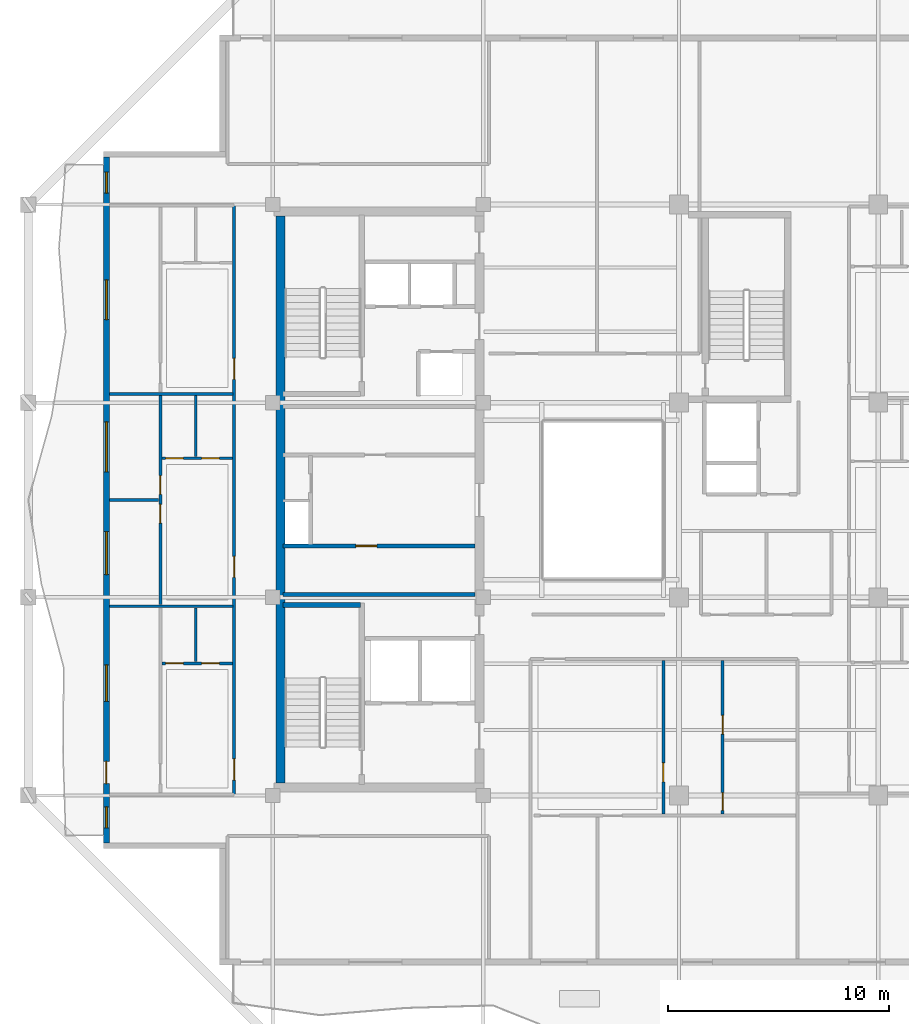
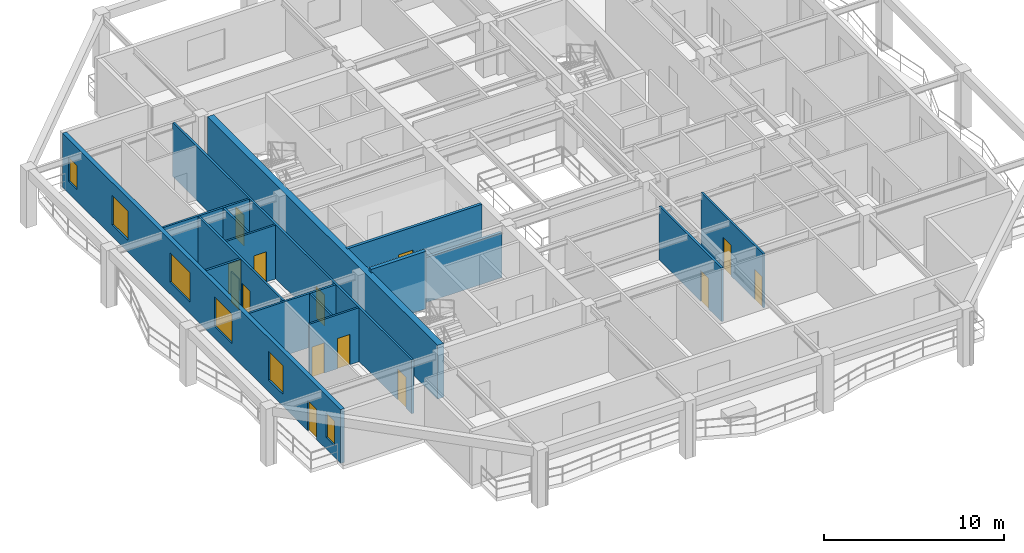
# One storey, part 3 of 12: 16 walls, 14 doors, 6 windows, 20 openings.
"""IFC4 building model written with IfcOpenShell, lengths in metres."""

from ifc_helpers import new_model, si_unit, direction, frame, frame_2d, origin, place, context, subcontext, project, spatial, rectangle, extrude, material, layer, layer_set, type_object, element, fill, save


model = new_model("IFC4")

# Units and contexts
model_context = context("Model", 3, precision=1e-05, world=origin(), true_north=direction((0.0, 1.0)))
body_context = subcontext(model_context, "Body", "Model", "MODEL_VIEW")
ifc_project = project(units=[si_unit("LENGTHUNIT", "METRE"), si_unit("AREAUNIT", "SQUARE_METRE"), si_unit("VOLUMEUNIT", "CUBIC_METRE"), si_unit("PLANEANGLEUNIT", "RADIAN"), si_unit("MASSUNIT", "GRAM", prefix="KILO")], contexts=[model_context])

# Site, building, storey
site_placement = place(None, origin())
site = spatial("IfcSite", under=ifc_project, at=site_placement, CompositionType="ELEMENT")
building_placement = place(site_placement, origin())
building = spatial("IfcBuilding", under=site, at=building_placement, Name="Kundavana Baori Tower", CompositionType="ELEMENT")
storey_placement = place(building_placement, frame((0.0, 0.0, 233.60009765625)))
storey = spatial("IfcBuildingStorey", under=building, at=storey_placement, Name="L57", CompositionType="ELEMENT", Elevation=233.60009765625)

# Walls
ifc_material_1 = material(Name="Concrete C50/60", Category="concrete")
ifc_layer_1 = layer(ifc_material_1, 0.39990234375, Name="WL-CORE-400")
ifc_layer_set_1 = layer_set([ifc_layer_1], Name="Concrete C50/60")
wall_type_1 = type_object("IfcWallType", Name="WL-CORE-400", PredefinedType="SHEAR", material=ifc_layer_set_1)
wall_1_placement = place(storey_placement, frame((15.7900390625, 15.81005859375, 0.0), z_axis=(0.0, 0.0, 1.0), x_axis=(0.0, 1.0, 0.0)))
element("IfcWall", 1, at=wall_1_placement, inside=storey, type_object=wall_type_1, Name="L57 Offset Core West Shear Wall", PredefinedType="SHEAR", context=body_context, shape_type="SweptSolid", body=[
    extrude(rectangle(XDim=25.6298828125, YDim=0.39990234375, at=frame_2d((12.81494140625, 0.0))), origin(), (0.0, 0.0, 1.0), 3.659912109375),
])
wall_2_placement = place(storey_placement, frame((15.89990234375, 23.860107421875, 0.0), z_axis=(0.0, 0.0, 1.0), x_axis=(1.0, 0.0, 0.0)))
element("IfcWall", 2, at=wall_2_placement, inside=storey, type_object=wall_type_1, Name="WL-L57-ST1-N", PredefinedType="SHEAR", context=body_context, shape_type="SweptSolid", body=[
    extrude(rectangle(XDim=3.52001953125, YDim=0.239990234375, at=frame_2d((1.760009765625, 0.0))), origin(), (0.0, 0.0, 1.0), 3.89990234375),
])

# Wall, openings, door, windows
ifc_material_2 = material(Name="Kiln-Fired Terracotta Brick-Slip Masonry on Concrete C40/50", Category="masonry")
ifc_layer_2 = layer(ifc_material_2, 0.260009765625, Name="WL-EXT-BRK-260")
ifc_layer_set_2 = layer_set([ifc_layer_2], Name="Kiln-Fired Terracotta Brick-Slip Masonry on Concrete C40/50")
wall_type_2 = type_object("IfcWallType", Name="WL-EXT-BRK-260", PredefinedType="SOLIDWALL", material=ifc_layer_set_2)
wall_3_placement = place(storey_placement, frame((7.929931640625, 44.090087890625, 0.0), z_axis=(0.0, 0.0, 1.0), x_axis=(0.0, -1.0, 0.0)))
wall_3 = element("IfcWall", 3, at=wall_3_placement, inside=storey, type_object=wall_type_2, Name="L57 Exterior Insulated Facade Wall 10", PredefinedType="SOLIDWALL", context=body_context, shape_type="SweptSolid", body=[
    extrude(rectangle(XDim=30.97998046875, YDim=0.260009765625, at=frame_2d((15.489990234375, 0.0))), origin(), (0.0, 0.0, 1.0), 3.659912109375),
])
opening_1_placement = place(wall_3_placement, frame((29.35498046875, 0.0, 0.800048828125)))
opening_1 = element("IfcOpeningElement", 4, at=opening_1_placement, cuts=wall_3, Name="Opening W-13", PredefinedType="OPENING", context=body_context, shape_type="SweptSolid", body=[
    extrude(rectangle(XDim=0.949951171875, YDim=1.64990234375, at=frame_2d((0.47509765625, 0.824951171875))), frame((0.0, 0.14013671875, 0.0), z_axis=(0.0, -1.0, 0.0), x_axis=(1.0, 0.0, 0.0)), (0.0, 0.0, 1.0), 0.280029296875),
])
opening_2_placement = place(wall_3_placement, frame((27.300048828125, 0.0, 0.0)))
opening_2 = element("IfcOpeningElement", 5, at=opening_2_placement, cuts=wall_3, Name="Opening BD-1", PredefinedType="OPENING", context=body_context, shape_type="SweptSolid", body=[
    extrude(rectangle(XDim=1.0, YDim=2.050048828125, at=frame_2d((0.5, 1.02490234375))), frame((0.0, 0.14013671875, 0.0), z_axis=(0.0, -1.0, 0.0), x_axis=(1.0, 0.0, 0.0)), (0.0, 0.0, 1.0), 0.280029296875),
])
opening_3_placement = place(wall_3_placement, frame((22.93994140625, 0.0, 0.800048828125)))
opening_3 = element("IfcOpeningElement", 6, at=opening_3_placement, cuts=wall_3, Name="Opening W-08", PredefinedType="OPENING", context=body_context, shape_type="SweptSolid", body=[
    extrude(rectangle(XDim=1.64990234375, YDim=1.949951171875, at=frame_2d((0.824951171875, 0.97509765625))), frame((0.0, 0.14013671875, 0.0), z_axis=(0.0, -1.0, 0.0), x_axis=(1.0, 0.0, 0.0)), (0.0, 0.0, 1.0), 0.280029296875),
])
opening_4_placement = place(wall_3_placement, frame((16.9150390625, 0.0, 0.800048828125)))
opening_4 = element("IfcOpeningElement", 7, at=opening_4_placement, cuts=wall_3, Name="Opening W-09", PredefinedType="OPENING", context=body_context, shape_type="SweptSolid", body=[
    extrude(rectangle(XDim=1.949951171875, YDim=2.0, at=frame_2d((0.97509765625, 1.0))), frame((0.0, 0.14013671875, 0.0), z_axis=(0.0, -1.0, 0.0), x_axis=(1.0, 0.0, 0.0)), (0.0, 0.0, 1.0), 0.280029296875),
])
opening_5_placement = place(wall_3_placement, frame((11.965087890625, 0.0, 0.800048828125)))
opening_5 = element("IfcOpeningElement", 8, at=opening_5_placement, cuts=wall_3, Name="Opening W-10", PredefinedType="OPENING", context=body_context, shape_type="SweptSolid", body=[
    extrude(rectangle(XDim=2.25, YDim=2.0, at=frame_2d((1.125, 1.0))), frame((0.0, 0.14013671875, 0.0), z_axis=(0.0, -1.0, 0.0), x_axis=(1.0, 0.0, 0.0)), (0.0, 0.0, 1.0), 0.280029296875),
])
opening_6_placement = place(wall_3_placement, frame((5.5400390625, 0.0, 0.800048828125)))
opening_6 = element("IfcOpeningElement", 9, at=opening_6_placement, cuts=wall_3, Name="Opening W-01", PredefinedType="OPENING", context=body_context, shape_type="SweptSolid", body=[
    extrude(rectangle(XDim=1.800048828125, YDim=2.0, at=frame_2d((0.89990234375, 1.0))), frame((0.0, 0.14013671875, 0.0), z_axis=(0.0, -1.0, 0.0), x_axis=(1.0, 0.0, 0.0)), (0.0, 0.0, 1.0), 0.280029296875),
])
opening_7_placement = place(wall_3_placement, frame((0.675048828125, 0.0, 0.800048828125)))
opening_7 = element("IfcOpeningElement", 10, at=opening_7_placement, cuts=wall_3, Name="Opening W-13", PredefinedType="OPENING", context=body_context, shape_type="SweptSolid", body=[
    extrude(rectangle(XDim=0.949951171875, YDim=1.64990234375, at=frame_2d((0.47509765625, 0.824951171875))), frame((0.0, 0.14013671875, 0.0), z_axis=(0.0, -1.0, 0.0), x_axis=(1.0, 0.0, 0.0)), (0.0, 0.0, 1.0), 0.280029296875),
])
ifc_material_3 = material(Name="Architectural Patinated Bronze Metalwork")
door_type_1 = type_object("IfcDoorType", Name="DR-EXT-LOG-1000", OperationType="NOTDEFINED", PredefinedType="DOOR", material=ifc_material_3)
door_1_placement = place(opening_2_placement, frame((1.0, 0.0, 0.0), z_axis=(0.0, 0.0, 1.0), x_axis=(-1.0, 0.0, 0.0)))
door_1 = element("IfcDoor", 11, at=door_1_placement, inside=storey, type_object=door_type_1, Name="L57 Loggia Balcony Access Door W", OperationType="SINGLE_SWING_LEFT", OverallHeight=2.050048828125, OverallWidth=1.0, PredefinedType="DOOR", context=body_context, shape_type="SweptSolid", body=[
    extrude(rectangle(XDim=1.0, YDim=2.050048828125, at=frame_2d((0.5, 1.02490234375))), frame((0.0, 0.02490234375, 0.0), z_axis=(0.0, -1.0, 0.0), x_axis=(1.0, 0.0, 0.0)), (0.0, 0.0, 1.0), 0.050048828125),
])
fill(opening_2, door_1)
ifc_material_4 = material(Name="Double-Glazed Solar-Control Low-E Insulated Glass", Category="glass")
window_type_1 = type_object("IfcWindowType", Name="WIN-LOG-1650x1950", PartitioningType="SINGLE_PANEL", PredefinedType="WINDOW", material=ifc_material_4)
window_1_placement = place(opening_3_placement, origin())
window_1 = element("IfcWindow", 12, at=window_1_placement, inside=storey, type_object=window_type_1, Name="L57 Recessed Loggia Window W-2", OverallHeight=1.949951171875, OverallWidth=1.64990234375, PartitioningType="SINGLE_PANEL", PredefinedType="WINDOW", context=body_context, shape_type="SweptSolid", body=[
    extrude(rectangle(XDim=1.64990234375, YDim=1.949951171875, at=frame_2d((0.824951171875, 0.97509765625))), frame((0.0, 0.030029296875, 0.0), z_axis=(0.0, -1.0, 0.0), x_axis=(1.0, 0.0, 0.0)), (0.0, 0.0, 1.0), 0.06005859375),
])
fill(opening_3, window_1)
ifc_material_5 = material(Name="Double-Glazed Solar-Control Low-E Insulated Glass", Category="glass")
window_type_2 = type_object("IfcWindowType", Name="WIN-LOG-1800x2000", PartitioningType="SINGLE_PANEL", PredefinedType="WINDOW", material=ifc_material_5)
window_2_placement = place(opening_6_placement, origin())
window_2 = element("IfcWindow", 13, at=window_2_placement, inside=storey, type_object=window_type_2, Name="L57 Recessed Loggia Window W-5", OverallHeight=2.0, OverallWidth=1.800048828125, PartitioningType="SINGLE_PANEL", PredefinedType="WINDOW", context=body_context, shape_type="SweptSolid", body=[
    extrude(rectangle(XDim=1.800048828125, YDim=2.0, at=frame_2d((0.89990234375, 1.0))), frame((0.0, 0.030029296875, 0.0), z_axis=(0.0, -1.0, 0.0), x_axis=(1.0, 0.0, 0.0)), (0.0, 0.0, 1.0), 0.06005859375),
])
fill(opening_6, window_2)
ifc_material_6 = material(Name="Double-Glazed Solar-Control Low-E Insulated Glass", Category="glass")
window_type_3 = type_object("IfcWindowType", Name="WIN-LOG-1950x2000", PartitioningType="SINGLE_PANEL", PredefinedType="WINDOW", material=ifc_material_6)
window_3_placement = place(opening_4_placement, origin())
window_3 = element("IfcWindow", 14, at=window_3_placement, inside=storey, type_object=window_type_3, Name="L57 Recessed Loggia Window W-3", OverallHeight=2.0, OverallWidth=1.949951171875, PartitioningType="SINGLE_PANEL", PredefinedType="WINDOW", context=body_context, shape_type="SweptSolid", body=[
    extrude(rectangle(XDim=1.949951171875, YDim=2.0, at=frame_2d((0.97509765625, 1.0))), frame((0.0, 0.030029296875, 0.0), z_axis=(0.0, -1.0, 0.0), x_axis=(1.0, 0.0, 0.0)), (0.0, 0.0, 1.0), 0.06005859375),
])
fill(opening_4, window_3)
ifc_material_7 = material(Name="Double-Glazed Solar-Control Low-E Insulated Glass", Category="glass")
window_type_4 = type_object("IfcWindowType", Name="WIN-LOG-2250x2000", PartitioningType="SINGLE_PANEL", PredefinedType="WINDOW", material=ifc_material_7)
window_4_placement = place(opening_5_placement, origin())
window_4 = element("IfcWindow", 15, at=window_4_placement, inside=storey, type_object=window_type_4, Name="L57 Recessed Loggia Window W-4", OverallHeight=2.0, OverallWidth=2.25, PartitioningType="SINGLE_PANEL", PredefinedType="WINDOW", context=body_context, shape_type="SweptSolid", body=[
    extrude(rectangle(XDim=2.25, YDim=2.0, at=frame_2d((1.125, 1.0))), frame((0.0, 0.030029296875, 0.0), z_axis=(0.0, -1.0, 0.0), x_axis=(1.0, 0.0, 0.0)), (0.0, 0.0, 1.0), 0.06005859375),
])
fill(opening_5, window_4)
ifc_material_8 = material(Name="Double-Glazed Solar-Control Low-E Insulated Glass", Category="glass")
window_type_5 = type_object("IfcWindowType", Name="WIN-LOG-950x1650", PartitioningType="SINGLE_PANEL", PredefinedType="WINDOW", material=ifc_material_8)
window_5_placement = place(opening_1_placement, origin())
window_5 = element("IfcWindow", 16, at=window_5_placement, inside=storey, type_object=window_type_5, Name="L57 Recessed Loggia Window W-1", OverallHeight=1.64990234375, OverallWidth=0.949951171875, PartitioningType="SINGLE_PANEL", PredefinedType="WINDOW", context=body_context, shape_type="SweptSolid", body=[
    extrude(rectangle(XDim=0.949951171875, YDim=1.64990234375, at=frame_2d((0.47509765625, 0.824951171875))), frame((0.0, 0.030029296875, 0.0), z_axis=(0.0, -1.0, 0.0), x_axis=(1.0, 0.0, 0.0)), (0.0, 0.0, 1.0), 0.06005859375),
])
fill(opening_1, window_5)
window_6_placement = place(opening_7_placement, origin())
window_6 = element("IfcWindow", 17, at=window_6_placement, inside=storey, type_object=window_type_5, Name="L57 Recessed Loggia Window W-6", OverallHeight=1.64990234375, OverallWidth=0.949951171875, PartitioningType="SINGLE_PANEL", PredefinedType="WINDOW", context=body_context, shape_type="SweptSolid", body=[
    extrude(rectangle(XDim=0.949951171875, YDim=1.64990234375, at=frame_2d((0.47509765625, 0.824951171875))), frame((0.0, 0.030029296875, 0.0), z_axis=(0.0, -1.0, 0.0), x_axis=(1.0, 0.0, 0.0)), (0.0, 0.0, 1.0), 0.06005859375),
])
fill(opening_7, window_6)

# Wall, openings, doors
ifc_material_9 = material(Name="Acoustic Gypsum Plasterboard on Galvanised Steel Studs", Category="steel")
ifc_layer_3 = layer(ifc_material_9, 0.135009765625, Name="WL-PART-135")
ifc_layer_set_3 = layer_set([ifc_layer_3], Name="Acoustic Gypsum Plasterboard on Galvanised Steel Studs")
wall_type_3 = type_object("IfcWallType", Name="WL-PART-135", PredefinedType="PARTITIONING", material=ifc_layer_set_3)
wall_4_placement = place(storey_placement, frame((13.699951171875, 15.300048828125, 0.0), z_axis=(0.0, 0.0, 1.0), x_axis=(0.0, 1.0, 0.0)))
wall_4 = element("IfcWall", 18, at=wall_4_placement, inside=storey, type_object=wall_type_3, Name="WL-L57-RW", PredefinedType="PARTITIONING", context=body_context, shape_type="SweptSolid", body=[
    extrude(rectangle(XDim=26.599853515625, YDim=0.135009765625, at=frame_2d((13.2998046875, 0.0))), origin(), (0.0, 0.0, 1.0), 3.659912109375),
])
opening_8_placement = place(wall_4_placement, frame((0.64990234375, 0.0, 0.0)))
opening_8 = element("IfcOpeningElement", 19, at=opening_8_placement, cuts=wall_4, Name="Opening FD-095", PredefinedType="OPENING", context=body_context, shape_type="SweptSolid", body=[
    extrude(rectangle(XDim=0.949951171875, YDim=2.10009765625, at=frame_2d((0.47509765625, 1.050048828125))), frame((0.0, 0.07763671875, 0.0), z_axis=(0.0, -1.0, 0.0), x_axis=(1.0, 0.0, 0.0)), (0.0, 0.0, 1.0), 0.155029296875),
])
opening_9_placement = place(wall_4_placement, frame((9.800048828125, 0.0, 0.0)))
opening_9 = element("IfcOpeningElement", 20, at=opening_9_placement, cuts=wall_4, Name="Opening FD-095", PredefinedType="OPENING", context=body_context, shape_type="SweptSolid", body=[
    extrude(rectangle(XDim=0.949951171875, YDim=2.10009765625, at=frame_2d((0.47509765625, 1.050048828125))), frame((0.0, 0.07763671875, 0.0), z_axis=(0.0, -1.0, 0.0), x_axis=(1.0, 0.0, 0.0)), (0.0, 0.0, 1.0), 0.155029296875),
])
opening_10_placement = place(wall_4_placement, frame((18.75, 0.0, 0.0)))
opening_10 = element("IfcOpeningElement", 21, at=opening_10_placement, cuts=wall_4, Name="Opening FD-095", PredefinedType="OPENING", context=body_context, shape_type="SweptSolid", body=[
    extrude(rectangle(XDim=0.949951171875, YDim=2.10009765625, at=frame_2d((0.47509765625, 1.050048828125))), frame((0.0, 0.07763671875, 0.0), z_axis=(0.0, -1.0, 0.0), x_axis=(1.0, 0.0, 0.0)), (0.0, 0.0, 1.0), 0.155029296875),
])
ifc_material_10 = material(Name="Engineered Teak Fire-Rated Timber Door Leaf", Category="wood")
door_type_2 = type_object("IfcDoorType", Name="DR-FD60-950", OperationType="NOTDEFINED", PredefinedType="DOOR", material=ifc_material_10)
door_2_placement = place(opening_8_placement, frame((0.949951171875, 0.0, 0.0), z_axis=(0.0, 0.0, 1.0), x_axis=(-1.0, 0.0, 0.0)))
door_2 = element("IfcDoor", 22, at=door_2_placement, inside=storey, type_object=door_type_2, Name="DR-L57-W1-ENT", OperationType="SINGLE_SWING_LEFT", OverallHeight=2.10009765625, OverallWidth=0.949951171875, PredefinedType="DOOR", context=body_context, shape_type="SweptSolid", body=[
    extrude(rectangle(XDim=0.949951171875, YDim=2.10009765625, at=frame_2d((0.47509765625, 1.050048828125))), frame((0.0, 0.02490234375, 0.0), z_axis=(0.0, -1.0, 0.0), x_axis=(1.0, 0.0, 0.0)), (0.0, 0.0, 1.0), 0.050048828125),
])
fill(opening_8, door_2)
door_3_placement = place(opening_9_placement, frame((0.949951171875, 0.0, 0.0), z_axis=(0.0, 0.0, 1.0), x_axis=(-1.0, 0.0, 0.0)))
door_3 = element("IfcDoor", 23, at=door_3_placement, inside=storey, type_object=door_type_2, Name="DR-L57-W2-ENT", OperationType="SINGLE_SWING_LEFT", OverallHeight=2.10009765625, OverallWidth=0.949951171875, PredefinedType="DOOR", context=body_context, shape_type="SweptSolid", body=[
    extrude(rectangle(XDim=0.949951171875, YDim=2.10009765625, at=frame_2d((0.47509765625, 1.050048828125))), frame((0.0, 0.02490234375, 0.0), z_axis=(0.0, -1.0, 0.0), x_axis=(1.0, 0.0, 0.0)), (0.0, 0.0, 1.0), 0.050048828125),
])
fill(opening_9, door_3)
door_4_placement = place(opening_10_placement, frame((0.949951171875, 0.0, 0.0), z_axis=(0.0, 0.0, 1.0), x_axis=(-1.0, 0.0, 0.0)))
door_4 = element("IfcDoor", 24, at=door_4_placement, inside=storey, type_object=door_type_2, Name="DR-L57-W3-ENT", OperationType="SINGLE_SWING_LEFT", OverallHeight=2.10009765625, OverallWidth=0.949951171875, PredefinedType="DOOR", context=body_context, shape_type="SweptSolid", body=[
    extrude(rectangle(XDim=0.949951171875, YDim=2.10009765625, at=frame_2d((0.47509765625, 1.050048828125))), frame((0.0, 0.02490234375, 0.0), z_axis=(0.0, -1.0, 0.0), x_axis=(1.0, 0.0, 0.0)), (0.0, 0.0, 1.0), 0.050048828125),
])
fill(opening_10, door_4)

# Wall
wall_5_placement = place(storey_placement, frame((8.080078125, 23.800048828125, 0.0), z_axis=(0.0, 0.0, 1.0), x_axis=(1.0, 0.0, 0.0)))
element("IfcWall", 25, at=wall_5_placement, inside=storey, type_object=wall_type_3, Name="WL-L57-RWD1", PredefinedType="PARTITIONING", context=body_context, shape_type="SweptSolid", body=[
    extrude(rectangle(XDim=5.559814453125, YDim=0.135009765625, at=frame_2d((2.77978515625, 0.0))), origin(), (0.0, 0.0, 1.0), 3.659912109375),
])

# Wall, openings, doors
wall_6_placement = place(storey_placement, frame((10.3701171875, 23.8798828125, 0.0), z_axis=(0.0, 0.0, 1.0), x_axis=(0.0, 1.0, 0.0)))
wall_6 = element("IfcWall", 26, at=wall_6_placement, inside=storey, type_object=wall_type_3, Name="WL-L57-W2-VT", PredefinedType="PARTITIONING", context=body_context, shape_type="SweptSolid", body=[
    extrude(rectangle(XDim=9.440185546875, YDim=0.135009765625, at=frame_2d((4.72021484375, 0.0))), origin(), (0.0, 0.0, 1.0), 3.659912109375),
])
opening_11_placement = place(wall_6_placement, frame((3.669921875, 0.0, 0.0)))
opening_11 = element("IfcOpeningElement", 27, at=opening_11_placement, cuts=wall_6, Name="Opening ID-085", PredefinedType="OPENING", context=body_context, shape_type="SweptSolid", body=[
    extrude(rectangle(XDim=0.85009765625, YDim=2.080078125, at=frame_2d((0.425048828125, 1.0400390625))), frame((0.0, 0.07763671875, 0.0), z_axis=(0.0, -1.0, 0.0), x_axis=(1.0, 0.0, 0.0)), (0.0, 0.0, 1.0), 0.155029296875),
])
opening_12_placement = place(wall_6_placement, frame((4.969970703125, 0.0, 0.0)))
opening_12 = element("IfcOpeningElement", 28, at=opening_12_placement, cuts=wall_6, Name="Opening ID-085", PredefinedType="OPENING", context=body_context, shape_type="SweptSolid", body=[
    extrude(rectangle(XDim=0.85009765625, YDim=2.080078125, at=frame_2d((0.425048828125, 1.0400390625))), frame((0.0, 0.07763671875, 0.0), z_axis=(0.0, -1.0, 0.0), x_axis=(1.0, 0.0, 0.0)), (0.0, 0.0, 1.0), 0.155029296875),
])
ifc_material_11 = material(Name="Engineered Teak Solid-Core Timber Veneer", Category="wood")
door_type_3 = type_object("IfcDoorType", Name="DR-INT-850", OperationType="NOTDEFINED", PredefinedType="DOOR", material=ifc_material_11)
door_5_placement = place(opening_11_placement, frame((0.85009765625, 0.0, 0.0), z_axis=(0.0, 0.0, 1.0), x_axis=(-1.0, 0.0, 0.0)))
door_5 = element("IfcDoor", 29, at=door_5_placement, inside=storey, type_object=door_type_3, Name="DR-L57-W2-B1", OperationType="SINGLE_SWING_LEFT", OverallHeight=2.080078125, OverallWidth=0.85009765625, PredefinedType="DOOR", context=body_context, shape_type="SweptSolid", body=[
    extrude(rectangle(XDim=0.85009765625, YDim=2.080078125, at=frame_2d((0.425048828125, 1.0400390625))), frame((0.0, 0.02490234375, 0.0), z_axis=(0.0, -1.0, 0.0), x_axis=(1.0, 0.0, 0.0)), (0.0, 0.0, 1.0), 0.050048828125),
])
fill(opening_11, door_5)
door_6_placement = place(opening_12_placement, frame((0.85009765625, 0.0, 0.0), z_axis=(0.0, 0.0, 1.0), x_axis=(-1.0, 0.0, 0.0)))
door_6 = element("IfcDoor", 30, at=door_6_placement, inside=storey, type_object=door_type_3, Name="DR-L57-W2-B2", OperationType="SINGLE_SWING_RIGHT", OverallHeight=2.080078125, OverallWidth=0.85009765625, PredefinedType="DOOR", context=body_context, shape_type="SweptSolid", body=[
    extrude(rectangle(XDim=0.85009765625, YDim=2.080078125, at=frame_2d((0.425048828125, 1.0400390625))), frame((0.0, 0.02490234375, 0.0), z_axis=(0.0, -1.0, 0.0), x_axis=(1.0, 0.0, 0.0)), (0.0, 0.0, 1.0), 0.050048828125),
])
fill(opening_12, door_6)

# Walls
wall_7_placement = place(storey_placement, frame((8.080078125, 28.60009765625, 0.0), z_axis=(0.0, 0.0, 1.0), x_axis=(1.0, 0.0, 0.0)))
element("IfcWall", 31, at=wall_7_placement, inside=storey, type_object=wall_type_3, Name="WL-L57-W2-BDH", PredefinedType="PARTITIONING", context=body_context, shape_type="SweptSolid", body=[
    extrude(rectangle(XDim=2.2099609375, YDim=0.135009765625, at=frame_2d((1.10498046875, 0.0))), origin(), (0.0, 0.0, 1.0), 3.659912109375),
])
wall_8_placement = place(storey_placement, frame((8.080078125, 33.39990234375, 0.0), z_axis=(0.0, 0.0, 1.0), x_axis=(1.0, 0.0, 0.0)))
element("IfcWall", 32, at=wall_8_placement, inside=storey, type_object=wall_type_3, Name="WL-L57-RWD2", PredefinedType="PARTITIONING", context=body_context, shape_type="SweptSolid", body=[
    extrude(rectangle(XDim=5.559814453125, YDim=0.135009765625, at=frame_2d((2.77978515625, 0.0))), origin(), (0.0, 0.0, 1.0), 3.659912109375),
])

# Wall, opening, door
wall_9_placement = place(storey_placement, frame((33.090087890625, 14.4208984375, 0.0), z_axis=(0.0, 0.0, 1.0), x_axis=(0.0, 1.0, 0.0)))
wall_9 = element("IfcWall", 33, at=wall_9_placement, inside=storey, type_object=wall_type_3, Name="WL-L57-S1-STU", PredefinedType="PARTITIONING", context=body_context, shape_type="SweptSolid", body=[
    extrude(rectangle(XDim=6.919189453125, YDim=0.135009765625, at=frame_2d((3.45947265625, 0.0))), origin(), (0.0, 0.0, 1.0), 3.659912109375),
])
opening_13_placement = place(wall_9_placement, frame((1.449951171875, 0.0, 0.0)))
opening_13 = element("IfcOpeningElement", 34, at=opening_13_placement, cuts=wall_9, Name="Opening ID-085", PredefinedType="OPENING", context=body_context, shape_type="SweptSolid", body=[
    extrude(rectangle(XDim=0.85009765625, YDim=2.080078125, at=frame_2d((0.425048828125, 1.0400390625))), frame((0.0, 0.07763671875, 0.0), z_axis=(0.0, -1.0, 0.0), x_axis=(1.0, 0.0, 0.0)), (0.0, 0.0, 1.0), 0.155029296875),
])
door_7_placement = place(opening_13_placement, origin())
door_7 = element("IfcDoor", 35, at=door_7_placement, inside=storey, type_object=door_type_3, Name="DR-L57-S1-STD", OperationType="SINGLE_SWING_LEFT", OverallHeight=2.080078125, OverallWidth=0.85009765625, PredefinedType="DOOR", context=body_context, shape_type="SweptSolid", body=[
    extrude(rectangle(XDim=0.85009765625, YDim=2.080078125, at=frame_2d((0.425048828125, 1.0400390625))), frame((0.0, 0.02490234375, 0.0), z_axis=(0.0, -1.0, 0.0), x_axis=(1.0, 0.0, 0.0)), (0.0, 0.0, 1.0), 0.050048828125),
])
fill(opening_13, door_7)

ifc_material_12 = material(Name="Autoclaved Aerated Concrete Blockwork Masonry", Category="masonry")
ifc_layer_4 = layer(ifc_material_12, 0.179931640625, Name="WL-SHAFT-180")
ifc_layer_set_4 = layer_set([ifc_layer_4], Name="Autoclaved Aerated Concrete Blockwork Masonry")
wall_type_4 = type_object("IfcWallType", Name="WL-SHAFT-180", PredefinedType="SOLIDWALL", material=ifc_layer_set_4)
wall_10_placement = place(storey_placement, frame((15.89990234375, 26.52001953125, 0.0), z_axis=(0.0, 0.0, 1.0), x_axis=(1.0, 0.0, 0.0)))
wall_10 = element("IfcWall", 36, at=wall_10_placement, inside=storey, type_object=wall_type_4, Name="WL-L57-LPLOW-N", PredefinedType="SOLIDWALL", context=body_context, shape_type="SweptSolid", body=[
    extrude(rectangle(XDim=8.68017578125, YDim=0.179931640625, at=frame_2d((4.340087890625, 0.0))), origin(), (0.0, 0.0, 1.0), 3.659912109375),
])
opening_14_placement = place(wall_10_placement, frame((3.300048828125, 0.0, 0.0)))
opening_14 = element("IfcOpeningElement", 37, at=opening_14_placement, cuts=wall_10, Name="Opening FD-095", PredefinedType="OPENING", context=body_context, shape_type="SweptSolid", body=[
    extrude(rectangle(XDim=0.949951171875, YDim=2.10009765625, at=frame_2d((0.47509765625, 1.050048828125))), frame((0.0, 0.10009765625, 0.0), z_axis=(0.0, -1.0, 0.0), x_axis=(1.0, 0.0, 0.0)), (0.0, 0.0, 1.0), 0.199951171875),
])
door_8_placement = place(opening_14_placement, origin())
door_8 = element("IfcDoor", 38, at=door_8_placement, inside=storey, type_object=door_type_2, Name="DR-L57-FRLOW1", OperationType="SINGLE_SWING_LEFT", OverallHeight=2.10009765625, OverallWidth=0.949951171875, PredefinedType="DOOR", context=body_context, shape_type="SweptSolid", body=[
    extrude(rectangle(XDim=0.949951171875, YDim=2.10009765625, at=frame_2d((0.47509765625, 1.050048828125))), frame((0.0, 0.02490234375, 0.0), z_axis=(0.0, -1.0, 0.0), x_axis=(1.0, 0.0, 0.0)), (0.0, 0.0, 1.0), 0.050048828125),
])
fill(opening_14, door_8)

# Wall
wall_11_placement = place(storey_placement, frame((15.89990234375, 24.330078125, 0.0), z_axis=(0.0, 0.0, 1.0), x_axis=(1.0, 0.0, 0.0)))
element("IfcWall", 39, at=wall_11_placement, inside=storey, type_object=wall_type_4, Name="WL-L57-LPLOW-S", PredefinedType="SOLIDWALL", context=body_context, shape_type="SweptSolid", body=[
    extrude(rectangle(XDim=8.68017578125, YDim=0.179931640625, at=frame_2d((4.340087890625, 0.0))), origin(), (0.0, 0.0, 1.0), 3.059814453125),
])

# Wall, openings, doors
ifc_material_13 = material(Name="Autoclaved Aerated Concrete Blockwork Masonry", Category="masonry")
ifc_layer_5 = layer(ifc_material_13, 0.125, Name="WL-WET-120")
ifc_layer_set_5 = layer_set([ifc_layer_5], Name="Autoclaved Aerated Concrete Blockwork Masonry")
wall_type_5 = type_object("IfcWallType", Name="WL-WET-120", PredefinedType="PLUMBINGWALL", material=ifc_layer_set_5)
wall_12_placement = place(storey_placement, frame((10.449951171875, 21.218017578125, 0.0), z_axis=(0.0, 0.0, 1.0), x_axis=(1.0, 0.0, 0.0)))
wall_12 = element("IfcWall", 40, at=wall_12_placement, inside=storey, type_object=wall_type_5, Name="WL-L57-W1-KH", PredefinedType="PLUMBINGWALL", context=body_context, shape_type="SweptSolid", body=[
    extrude(rectangle(XDim=3.170166015625, YDim=0.125, at=frame_2d((1.5849609375, 0.0))), origin(), (0.0, 0.0, 1.0), 3.659912109375),
])
opening_15_placement = place(wall_12_placement, frame((0.159912109375, 0.0, 0.0)))
opening_15 = element("IfcOpeningElement", 41, at=opening_15_placement, cuts=wall_12, Name="Opening WD-080", PredefinedType="OPENING", context=body_context, shape_type="SweptSolid", body=[
    extrude(rectangle(XDim=0.800048828125, YDim=2.050048828125, at=frame_2d((0.39990234375, 1.02490234375))), frame((0.0, 0.072509765625, 0.0), z_axis=(0.0, -1.0, 0.0), x_axis=(1.0, 0.0, 0.0)), (0.0, 0.0, 1.0), 0.14501953125),
])
opening_16_placement = place(wall_12_placement, frame((1.781982421875, 0.0, 0.0)))
opening_16 = element("IfcOpeningElement", 42, at=opening_16_placement, cuts=wall_12, Name="Opening WD-080", PredefinedType="OPENING", context=body_context, shape_type="SweptSolid", body=[
    extrude(rectangle(XDim=0.800048828125, YDim=2.050048828125, at=frame_2d((0.39990234375, 1.02490234375))), frame((0.0, 0.072509765625, 0.0), z_axis=(0.0, -1.0, 0.0), x_axis=(1.0, 0.0, 0.0)), (0.0, 0.0, 1.0), 0.14501953125),
])
ifc_material_14 = material(Name="Engineered Teak Solid-Core Timber Veneer", Category="wood")
door_type_4 = type_object("IfcDoorType", Name="DR-WET-800", OperationType="NOTDEFINED", PredefinedType="DOOR", material=ifc_material_14)
door_9_placement = place(opening_15_placement, origin())
door_9 = element("IfcDoor", 43, at=door_9_placement, inside=storey, type_object=door_type_4, Name="DR-L57-W1-BT", OperationType="SINGLE_SWING_LEFT", OverallHeight=2.050048828125, OverallWidth=0.800048828125, PredefinedType="DOOR", context=body_context, shape_type="SweptSolid", body=[
    extrude(rectangle(XDim=0.800048828125, YDim=2.050048828125, at=frame_2d((0.39990234375, 1.02490234375))), frame((0.0, 0.02490234375, 0.0), z_axis=(0.0, -1.0, 0.0), x_axis=(1.0, 0.0, 0.0)), (0.0, 0.0, 1.0), 0.050048828125),
])
fill(opening_15, door_9)
door_10_placement = place(opening_16_placement, origin())
door_10 = element("IfcDoor", 44, at=door_10_placement, inside=storey, type_object=door_type_4, Name="DR-L57-W1-KT", OperationType="SINGLE_SWING_RIGHT", OverallHeight=2.050048828125, OverallWidth=0.800048828125, PredefinedType="DOOR", context=body_context, shape_type="SweptSolid", body=[
    extrude(rectangle(XDim=0.800048828125, YDim=2.050048828125, at=frame_2d((0.39990234375, 1.02490234375))), frame((0.0, 0.02490234375, 0.0), z_axis=(0.0, -1.0, 0.0), x_axis=(1.0, 0.0, 0.0)), (0.0, 0.0, 1.0), 0.050048828125),
])
fill(opening_16, door_10)

# Wall
wall_13_placement = place(storey_placement, frame((11.971923828125, 21.298095703125, 0.0), z_axis=(0.0, 0.0, 1.0), x_axis=(0.0, 1.0, 0.0)))
element("IfcWall", 45, at=wall_13_placement, inside=storey, type_object=wall_type_5, Name="WL-L57-W1-BV", PredefinedType="PLUMBINGWALL", context=body_context, shape_type="SweptSolid", body=[
    extrude(rectangle(XDim=2.421875, YDim=0.125, at=frame_2d((1.2109375, 0.0))), origin(), (0.0, 0.0, 1.0), 3.659912109375),
])

# Wall, openings, doors
wall_14_placement = place(storey_placement, frame((10.449951171875, 30.488037109375, 0.0), z_axis=(0.0, 0.0, 1.0), x_axis=(1.0, 0.0, 0.0)))
wall_14 = element("IfcWall", 46, at=wall_14_placement, inside=storey, type_object=wall_type_5, Name="WL-L57-W2-KH", PredefinedType="PLUMBINGWALL", context=body_context, shape_type="SweptSolid", body=[
    extrude(rectangle(XDim=3.170166015625, YDim=0.125, at=frame_2d((1.5849609375, 0.0))), origin(), (0.0, 0.0, 1.0), 3.659912109375),
])
opening_17_placement = place(wall_14_placement, frame((0.159912109375, 0.0, 0.0)))
opening_17 = element("IfcOpeningElement", 47, at=opening_17_placement, cuts=wall_14, Name="Opening WD-080", PredefinedType="OPENING", context=body_context, shape_type="SweptSolid", body=[
    extrude(rectangle(XDim=0.800048828125, YDim=2.050048828125, at=frame_2d((0.39990234375, 1.02490234375))), frame((0.0, 0.072509765625, 0.0), z_axis=(0.0, -1.0, 0.0), x_axis=(1.0, 0.0, 0.0)), (0.0, 0.0, 1.0), 0.14501953125),
])
opening_18_placement = place(wall_14_placement, frame((1.781982421875, 0.0, 0.0)))
opening_18 = element("IfcOpeningElement", 48, at=opening_18_placement, cuts=wall_14, Name="Opening WD-080", PredefinedType="OPENING", context=body_context, shape_type="SweptSolid", body=[
    extrude(rectangle(XDim=0.800048828125, YDim=2.050048828125, at=frame_2d((0.39990234375, 1.02490234375))), frame((0.0, 0.072509765625, 0.0), z_axis=(0.0, -1.0, 0.0), x_axis=(1.0, 0.0, 0.0)), (0.0, 0.0, 1.0), 0.14501953125),
])
door_11_placement = place(opening_17_placement, origin())
door_11 = element("IfcDoor", 49, at=door_11_placement, inside=storey, type_object=door_type_4, Name="DR-L57-W2-BT", OperationType="SINGLE_SWING_LEFT", OverallHeight=2.050048828125, OverallWidth=0.800048828125, PredefinedType="DOOR", context=body_context, shape_type="SweptSolid", body=[
    extrude(rectangle(XDim=0.800048828125, YDim=2.050048828125, at=frame_2d((0.39990234375, 1.02490234375))), frame((0.0, 0.02490234375, 0.0), z_axis=(0.0, -1.0, 0.0), x_axis=(1.0, 0.0, 0.0)), (0.0, 0.0, 1.0), 0.050048828125),
])
fill(opening_17, door_11)
door_12_placement = place(opening_18_placement, origin())
door_12 = element("IfcDoor", 50, at=door_12_placement, inside=storey, type_object=door_type_4, Name="DR-L57-W2-KT", OperationType="SINGLE_SWING_RIGHT", OverallHeight=2.050048828125, OverallWidth=0.800048828125, PredefinedType="DOOR", context=body_context, shape_type="SweptSolid", body=[
    extrude(rectangle(XDim=0.800048828125, YDim=2.050048828125, at=frame_2d((0.39990234375, 1.02490234375))), frame((0.0, 0.02490234375, 0.0), z_axis=(0.0, -1.0, 0.0), x_axis=(1.0, 0.0, 0.0)), (0.0, 0.0, 1.0), 0.050048828125),
])
fill(opening_18, door_12)

# Wall
wall_15_placement = place(storey_placement, frame((11.971923828125, 30.568115234375, 0.0), z_axis=(0.0, 0.0, 1.0), x_axis=(0.0, 1.0, 0.0)))
element("IfcWall", 51, at=wall_15_placement, inside=storey, type_object=wall_type_5, Name="WL-L57-W2-BV", PredefinedType="PLUMBINGWALL", context=body_context, shape_type="SweptSolid", body=[
    extrude(rectangle(XDim=2.751953125, YDim=0.125, at=frame_2d((1.3759765625, 0.0))), origin(), (0.0, 0.0, 1.0), 3.659912109375),
])

# Wall, openings, doors
wall_16_placement = place(storey_placement, frame((35.77001953125, 14.4208984375, 0.0), z_axis=(0.0, 0.0, 1.0), x_axis=(0.0, 1.0, 0.0)))
wall_16 = element("IfcWall", 52, at=wall_16_placement, inside=storey, type_object=wall_type_5, Name="WL-L57-S1-KT", PredefinedType="PLUMBINGWALL", context=body_context, shape_type="SweptSolid", body=[
    extrude(rectangle(XDim=6.919189453125, YDim=0.125, at=frame_2d((3.45947265625, 0.0))), origin(), (0.0, 0.0, 1.0), 3.659912109375),
])
opening_19_placement = place(wall_16_placement, frame((0.159912109375, 0.0, 0.0)))
opening_19 = element("IfcOpeningElement", 53, at=opening_19_placement, cuts=wall_16, Name="Opening WD-080", PredefinedType="OPENING", context=body_context, shape_type="SweptSolid", body=[
    extrude(rectangle(XDim=0.800048828125, YDim=2.050048828125, at=frame_2d((0.39990234375, 1.02490234375))), frame((0.0, 0.072509765625, 0.0), z_axis=(0.0, -1.0, 0.0), x_axis=(1.0, 0.0, 0.0)), (0.0, 0.0, 1.0), 0.14501953125),
])
opening_20_placement = place(wall_16_placement, frame((3.60107421875, 0.0, 0.0)))
opening_20 = element("IfcOpeningElement", 54, at=opening_20_placement, cuts=wall_16, Name="Opening ID-085", PredefinedType="OPENING", context=body_context, shape_type="SweptSolid", body=[
    extrude(rectangle(XDim=0.85009765625, YDim=2.080078125, at=frame_2d((0.425048828125, 1.0400390625))), frame((0.0, 0.072509765625, 0.0), z_axis=(0.0, -1.0, 0.0), x_axis=(1.0, 0.0, 0.0)), (0.0, 0.0, 1.0), 0.14501953125),
])
door_13_placement = place(opening_20_placement, origin())
door_13 = element("IfcDoor", 55, at=door_13_placement, inside=storey, type_object=door_type_3, Name="DR-L57-S1-KT", OperationType="SINGLE_SWING_RIGHT", OverallHeight=2.080078125, OverallWidth=0.85009765625, PredefinedType="DOOR", context=body_context, shape_type="SweptSolid", body=[
    extrude(rectangle(XDim=0.85009765625, YDim=2.080078125, at=frame_2d((0.425048828125, 1.0400390625))), frame((0.0, 0.02490234375, 0.0), z_axis=(0.0, -1.0, 0.0), x_axis=(1.0, 0.0, 0.0)), (0.0, 0.0, 1.0), 0.050048828125),
])
fill(opening_20, door_13)
door_14_placement = place(opening_19_placement, origin())
door_14 = element("IfcDoor", 56, at=door_14_placement, inside=storey, type_object=door_type_4, Name="DR-L57-S1-BT", OperationType="SINGLE_SWING_LEFT", OverallHeight=2.050048828125, OverallWidth=0.800048828125, PredefinedType="DOOR", context=body_context, shape_type="SweptSolid", body=[
    extrude(rectangle(XDim=0.800048828125, YDim=2.050048828125, at=frame_2d((0.39990234375, 1.02490234375))), frame((0.0, 0.02490234375, 0.0), z_axis=(0.0, -1.0, 0.0), x_axis=(1.0, 0.0, 0.0)), (0.0, 0.0, 1.0), 0.050048828125),
])
fill(opening_19, door_14)

save(model, "model.ifc")
